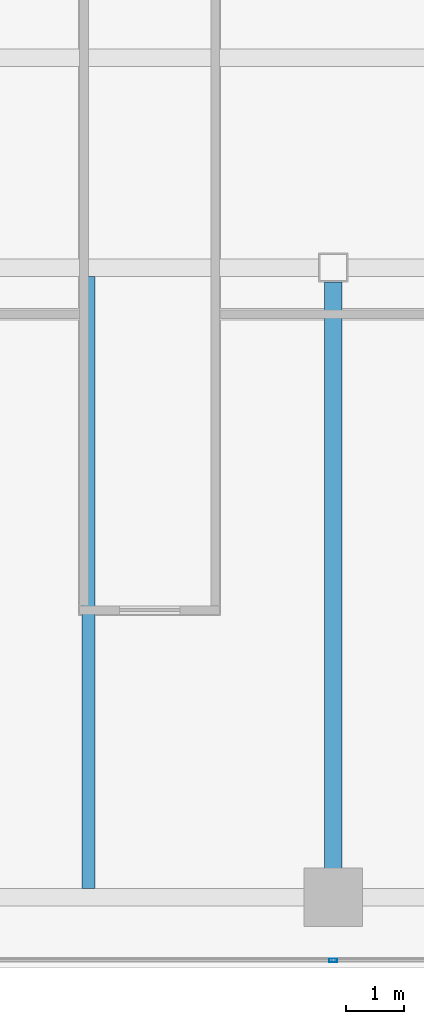
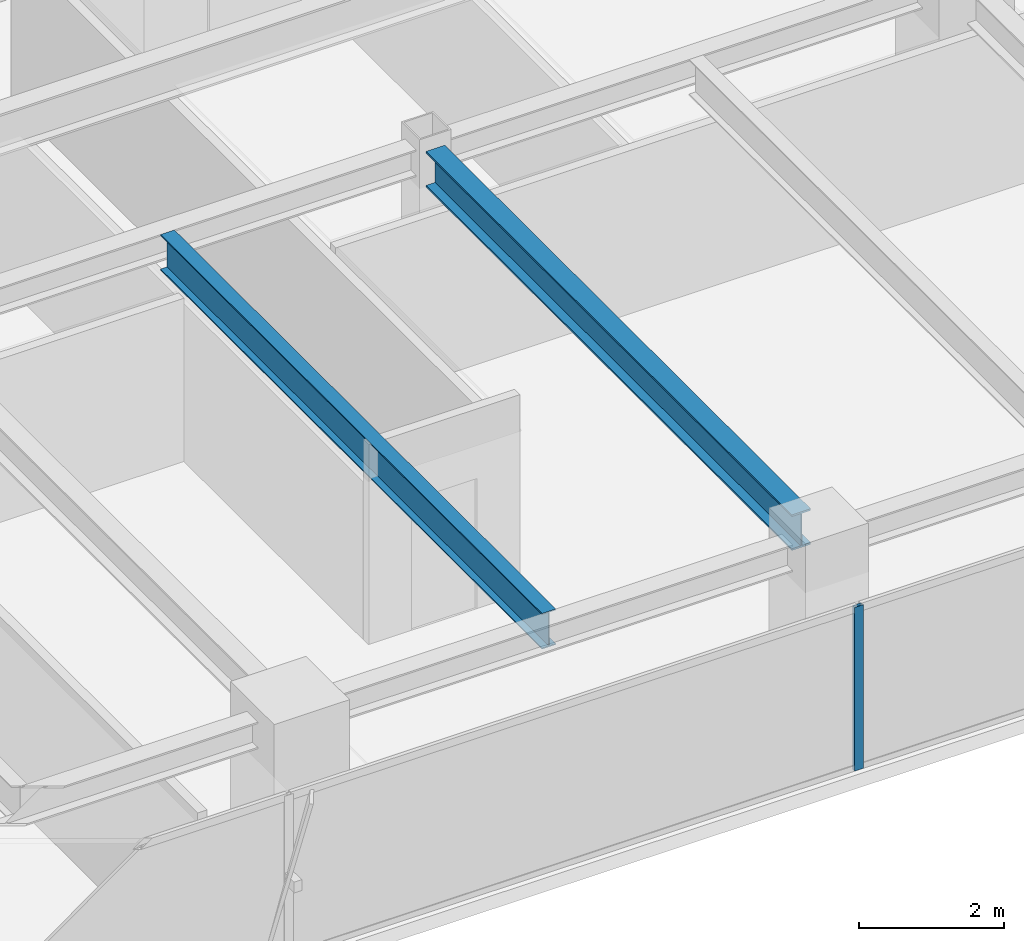
# One storey, part 6 of 26: 2 beams, 1 member, 1 element without a shape of its own.
"""IFC4 building model written with IfcOpenShell, lengths in metres."""

from ifc_helpers import new_model, si_unit, direction, frame, origin, origin_2d, place, context, subcontext, project, spatial, hollow_rectangle, i_section, extrude, source, transform, mapped, material, layer, layer_set, material_profile, profile_set, type_object, element, aggregate, save


model = new_model("IFC4")

# Units and contexts
model_context = context("Model", 3, precision=1e-05, world=origin(), true_north=direction((0.0, 1.0)))
body_context = subcontext(model_context, "Body", "Model", "MODEL_VIEW")
ifc_project = project(units=[si_unit("LENGTHUNIT", "METRE"), si_unit("AREAUNIT", "SQUARE_METRE"), si_unit("VOLUMEUNIT", "CUBIC_METRE"), si_unit("PLANEANGLEUNIT", "RADIAN"), si_unit("MASSUNIT", "GRAM", prefix="KILO")], contexts=[model_context])

# Site, building, storey
site_placement = place(None, origin())
site = spatial("IfcSite", under=ifc_project, at=site_placement, CompositionType="ELEMENT")
building_placement = place(site_placement, origin())
building = spatial("IfcBuilding", under=site, at=building_placement, Name="Sumidabori Civic Tower", CompositionType="ELEMENT")
storey_placement = place(building_placement, frame((0.0, 0.0, 243.199951171875)))
storey = spatial("IfcBuildingStorey", under=building, at=storey_placement, Name="L63", CompositionType="ELEMENT", Elevation=243.199951171875)

# Beams
ifc_material_1 = material(Name="Steel SN490", Category="steel")
ifc_material_profile_1 = material_profile(ifc_material_1, i_section(OverallWidth=0.300048828125, OverallDepth=0.60009765625, WebThickness=0.015380859375, FlangeThickness=0.030029296875, at=origin_2d()), Name="HE 600 B")
ifc_profile_set_1 = profile_set([ifc_material_profile_1], Name="Steel SN490")
beam_type_1 = type_object("IfcBeamType", Name="BM-GIRD-600", PredefinedType="BEAM", material=ifc_profile_set_1)
shared_shape_1 = source(origin(), body_context, "Body", "SweptSolid", [
    extrude(i_section(OverallWidth=0.300048828125, OverallDepth=0.60009765625, WebThickness=0.015380859375, FlangeThickness=0.030029296875, at=origin_2d()), origin(), (0.0, 0.0, 1.0), 10.070068359375),
])
beam_1_placement = place(storey_placement, frame((0.0, -10.320068359375, 3.070068359375), z_axis=(0.0, 1.0, 0.0), x_axis=(-1.0, 0.0, 0.0)))
element("IfcBeam", 1, at=beam_1_placement, inside=storey, type_object=beam_type_1, Name="Primary Girder L63 GY-13", PredefinedType="BEAM", context=body_context, shape_type="MappedRepresentation", body=[
    mapped(shared_shape_1, transform((0.0, 0.0, 0.0), x_axis=(1.0, 0.0, 0.0), y_axis=(0.0, 1.0, 0.0), z_axis=(0.0, 0.0, 1.0), scale=1.0)),
])
ifc_material_profile_2 = material_profile(ifc_material_1, i_section(OverallWidth=0.219970703125, OverallDepth=0.60009765625, WebThickness=0.011962890625, FlangeThickness=0.01904296875, at=origin_2d()), Name="IPE 600")
ifc_profile_set_2 = profile_set([ifc_material_profile_2], Name="Steel SN490")
beam_type_2 = type_object("IfcBeamType", Name="BM-JST-600", PredefinedType="JOIST", material=ifc_profile_set_2)
shared_shape_2 = source(origin(), body_context, "Body", "SweptSolid", [
    extrude(i_section(OverallWidth=0.219970703125, OverallDepth=0.60009765625, WebThickness=0.011962890625, FlangeThickness=0.01904296875, at=origin_2d()), origin(), (0.0, 0.0, 1.0), 10.5),
])
beam_2_placement = place(storey_placement, frame((-4.199951171875, -10.64990234375, 3.070068359375), z_axis=(0.0, 1.0, 0.0), x_axis=(-1.0, 0.0, 0.0)))
element("IfcBeam", 2, at=beam_2_placement, inside=storey, type_object=beam_type_2, Name="Upper Lens N-S Floor Joist L63 JSTV-21", PredefinedType="JOIST", context=body_context, shape_type="MappedRepresentation", body=[
    mapped(shared_shape_2, transform((0.0, 0.0, 0.0), x_axis=(1.0, 0.0, 0.0), y_axis=(0.0, 1.0, 0.0), z_axis=(0.0, 0.0, 1.0), scale=1.0)),
])

# Curtain wall, member
ifc_material_2 = material(Name="Anodised Bronze Aluminium AW-6063-T6", Category="aluminium")
ifc_layer = layer(ifc_material_2, 0.179931640625, Name="Anodised Bronze Aluminium AW-6063-T6")
ifc_layer_set = layer_set([ifc_layer], Name="Anodised Bronze Aluminium AW-6063-T6")
curtain_wall_type = type_object("IfcCurtainWallType", Name="CW-SYS-5", PredefinedType="NOTDEFINED", material=ifc_layer_set)
curtain_wall_placement = place(storey_placement, origin())
curtain_wall = element("IfcCurtainWall", 3, at=curtain_wall_placement, inside=storey, type_object=curtain_wall_type, Name="Curtain Wall CW:L63:R01", PredefinedType="NOTDEFINED")
ifc_material_profile_3 = material_profile(ifc_material_2, hollow_rectangle(XDim=0.06005859375, YDim=0.139892578125, WallThickness=0.0048828125, at=origin_2d()), Name="ALU MULLION 140x60")
ifc_profile_set_3 = profile_set([ifc_material_profile_3], Name="Anodised Bronze Aluminium AW-6063-T6")
member_type = type_object("IfcMemberType", Name="CW-MUL-140", PredefinedType="MULLION", material=ifc_profile_set_3)
shared_shape_3 = source(origin(), body_context, "Body", "SweptSolid", [
    extrude(hollow_rectangle(XDim=0.06005859375, YDim=0.139892578125, WallThickness=0.0048828125, at=origin_2d()), origin(), (0.0, 0.0, 1.0), 2.75),
])
member_placement = place(storey_placement, frame((0.0, -11.8798828125, 0.0), z_axis=(0.0, 0.0, 1.0), x_axis=(0.0, 1.0, 0.0)))
member = element("IfcMember", 4, at=member_placement, type_object=member_type, Name="CW-5 mullion 3", PredefinedType="MULLION", context=body_context, shape_type="MappedRepresentation", body=[
    mapped(shared_shape_3, transform((0.0, 0.0, 0.0), x_axis=(1.0, 0.0, 0.0), y_axis=(0.0, 1.0, 0.0), z_axis=(0.0, 0.0, 1.0), scale=1.0)),
])
aggregate(curtain_wall, [member])

save(model, "model.ifc")
